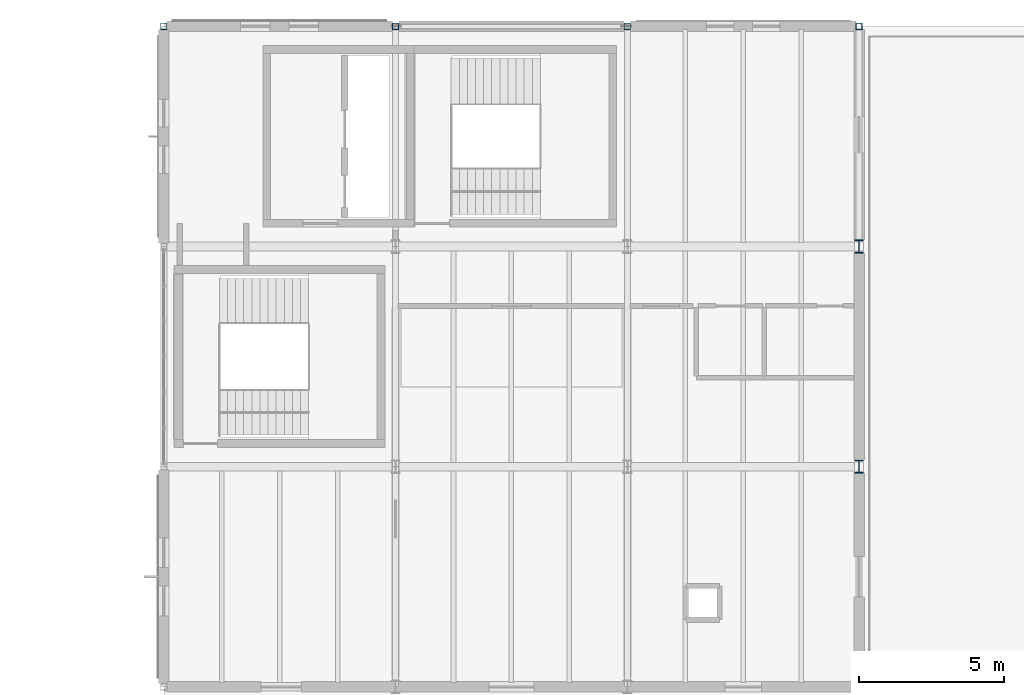
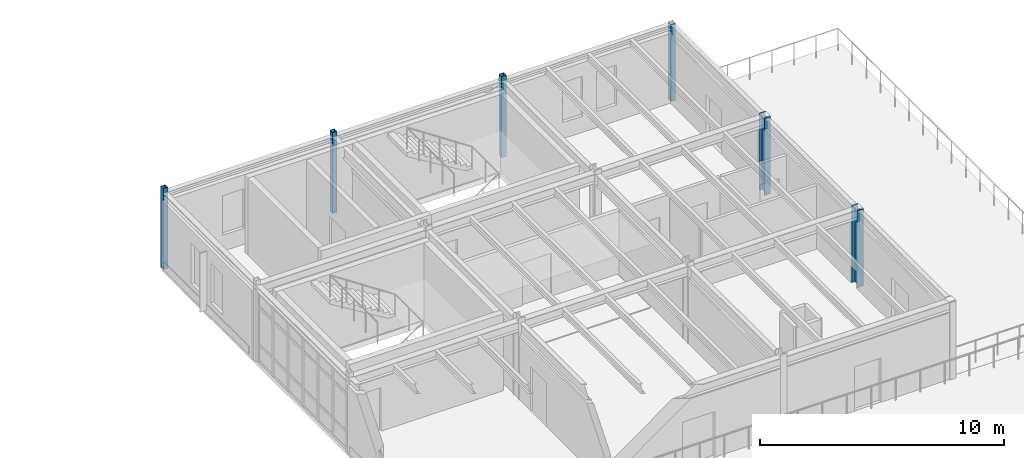
# One storey, part 17 of 114: 6 columns.
"""IFC4 building model written with IfcOpenShell, lengths in metres."""

from ifc_helpers import new_model, si_unit, direction, frame, origin, origin_2d, place, context, subcontext, project, spatial, hollow_rectangle, i_section, extrude, material, material_profile, profile_set, type_object, element, save


model = new_model("IFC4")

# Units and contexts
model_context = context("Model", 3, precision=1e-05, world=origin(), true_north=direction((0.0, 1.0)))
body_context = subcontext(model_context, "Body", "Model", "MODEL_VIEW")
ifc_project = project(units=[si_unit("LENGTHUNIT", "METRE"), si_unit("AREAUNIT", "SQUARE_METRE"), si_unit("VOLUMEUNIT", "CUBIC_METRE"), si_unit("PLANEANGLEUNIT", "RADIAN"), si_unit("MASSUNIT", "GRAM", prefix="KILO")], contexts=[model_context])

# Site, building, storey
site_placement = place(None, origin())
site = spatial("IfcSite", under=ifc_project, at=site_placement, CompositionType="ELEMENT")
building_placement = place(site_placement, origin())
building = spatial("IfcBuilding", under=site, at=building_placement, Name="Montecoro Central Library", CompositionType="ELEMENT")
storey_placement = place(building_placement, frame((0.0, 0.0, 13.260009765625)))
storey = spatial("IfcBuildingStorey", under=building, at=storey_placement, Name="L03", CompositionType="ELEMENT", Elevation=13.260009765625)

# Columns
ifc_material = material(Name="Steel S355", Category="steel")
ifc_material_profile_1 = material_profile(ifc_material, i_section(OverallWidth=0.300048828125, OverallDepth=0.449951171875, WebThickness=0.013916015625, FlangeThickness=0.02587890625, at=origin_2d()), Name="HEB 450")
ifc_profile_set_1 = profile_set([ifc_material_profile_1], Name="Steel S355")
column_type_1 = type_object("IfcColumnType", Name="COL-HEB450", PredefinedType="COLUMN", material=ifc_profile_set_1)
for number, where, z_axis, x_axis, name in (
    (1, (165.0, 103.800048828125, 0.0), (0.0, 0.0, 1.0), (1.0, 0.0, 0.0), "V5-L03-COL-21-P"),
    (2, (165.0, 111.39990234375, 0.0), (0.0, 0.0, 1.0), (1.0, 0.0, 0.0), "V5-L03-COL-21-Q"),
):
    element("IfcColumn", number, at=place(storey_placement, frame(where, z_axis=z_axis, x_axis=x_axis)), inside=storey, type_object=column_type_1, Name=name, PredefinedType="COLUMN", context=body_context, shape_type="SweptSolid", body=[
        extrude(i_section(OverallWidth=0.300048828125, OverallDepth=0.449951171875, WebThickness=0.013916015625, FlangeThickness=0.02587890625, at=origin_2d()), origin(), (0.0, 0.0, 1.0), 3.85009765625),
    ])
ifc_material_profile_2 = material_profile(ifc_material, hollow_rectangle(XDim=0.219970703125, YDim=0.219970703125, WallThickness=0.010009765625, at=origin_2d()), Name="SHS 220x220x10.0")
ifc_profile_set_2 = profile_set([ifc_material_profile_2], Name="Steel S355")
column_type_2 = type_object("IfcColumnType", Name="COL-SHS220", PredefinedType="COLUMN", material=ifc_profile_set_2)
for number, where, z_axis, x_axis, name in (
    (3, (141.0, 119.0, 0.0), (0.0, 0.0, 1.0), (1.0, 0.0, 0.0), "V5-L03-COL-18-R"),
    (4, (149.0, 119.0, 0.0), (0.0, 0.0, 1.0), (1.0, 0.0, 0.0), "V5-L03-COL-19-R"),
    (5, (157.0, 119.0, 0.0), (0.0, 0.0, 1.0), (1.0, 0.0, 0.0), "V5-L03-COL-20-R"),
):
    element("IfcColumn", number, at=place(storey_placement, frame(where, z_axis=z_axis, x_axis=x_axis)), inside=storey, type_object=column_type_2, Name=name, PredefinedType="COLUMN", context=body_context, shape_type="SweptSolid", body=[
        extrude(hollow_rectangle(XDim=0.219970703125, YDim=0.219970703125, WallThickness=0.010009765625, at=origin_2d()), origin(), (0.0, 0.0, 1.0), 4.054931640625),
    ])
column_placement = place(storey_placement, frame((165.0, 119.0, 0.0), z_axis=(0.0, 0.0, 1.0), x_axis=(1.0, 0.0, 0.0)))
element("IfcColumn", 6, at=column_placement, inside=storey, type_object=column_type_2, Name="V5-L03-COL-21-R", PredefinedType="COLUMN", context=body_context, shape_type="SweptSolid", body=[
    extrude(hollow_rectangle(XDim=0.219970703125, YDim=0.219970703125, WallThickness=0.010009765625, at=origin_2d()), origin(), (0.0, 0.0, 1.0), 3.85009765625),
])

save(model, "model.ifc")
